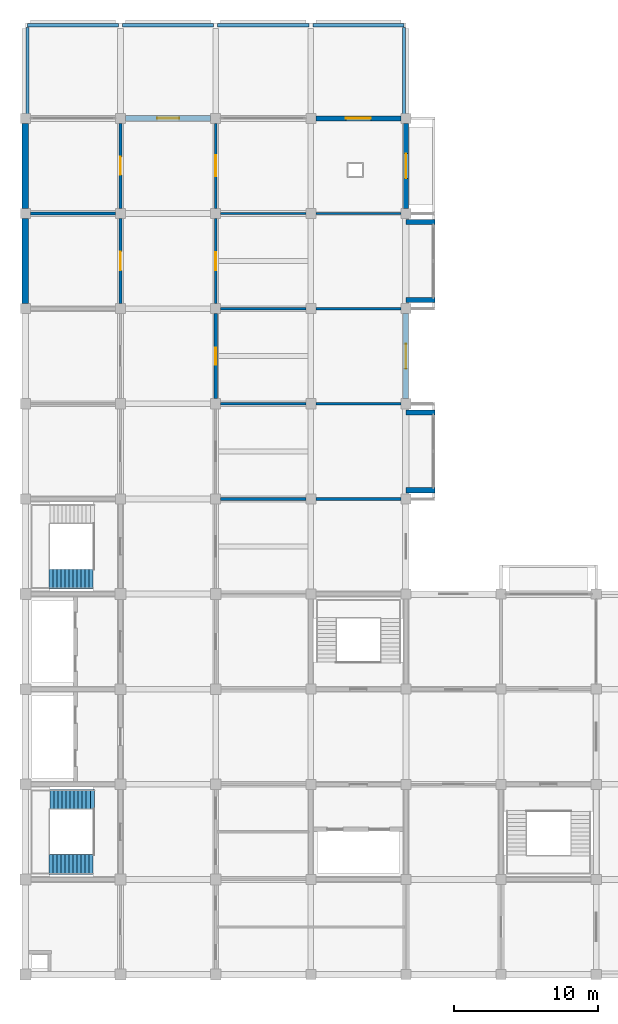
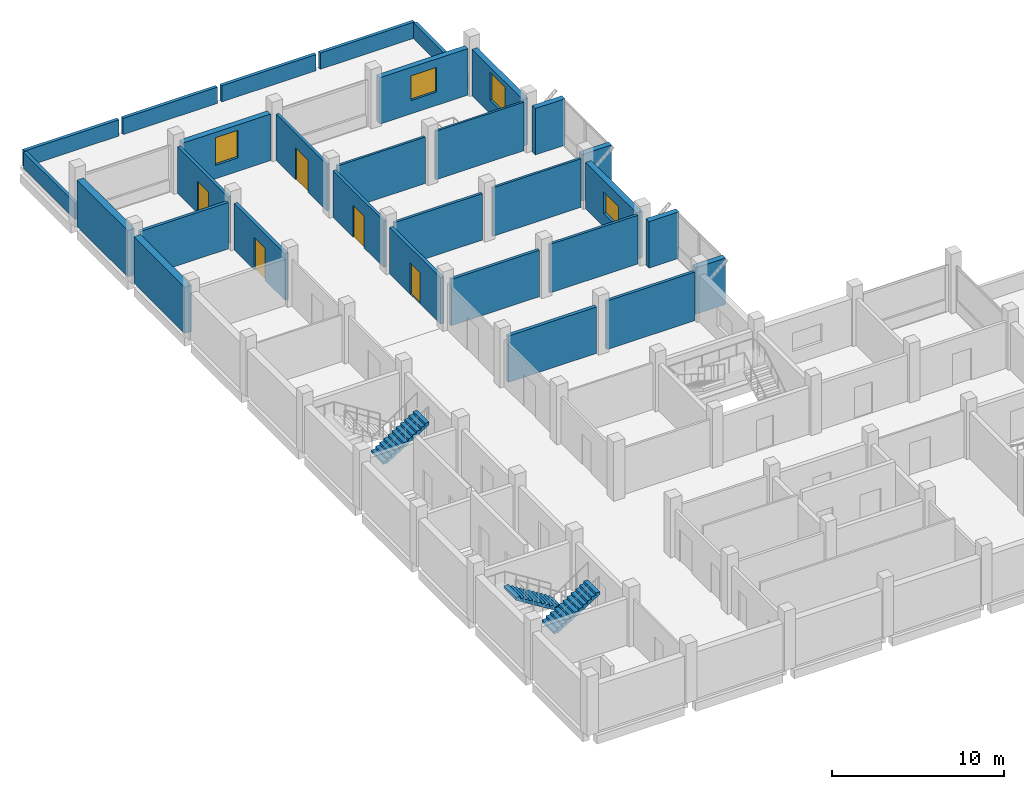
# One storey, part 8 of 10: 30 walls, 5 doors, 4 windows, 3 stair flights, 9 openings, 2 elements without a shape of their own.
"""IFC4 building model written with IfcOpenShell, lengths in metres."""

from ifc_helpers import new_model, si_unit, direction, frame, frame_2d, origin, place, context, subcontext, project, spatial, polyline, rectangle, outline, extrude, material, layer, layer_set, type_object, element, fill, aggregate, save


model = new_model("IFC4")

# Units and contexts
model_context = context("Model", 3, precision=1e-05, world=origin(), true_north=direction((0.0, 1.0)))
body_context = subcontext(model_context, "Body", "Model", "MODEL_VIEW")
ifc_project = project(units=[si_unit("LENGTHUNIT", "METRE"), si_unit("AREAUNIT", "SQUARE_METRE"), si_unit("VOLUMEUNIT", "CUBIC_METRE"), si_unit("PLANEANGLEUNIT", "RADIAN"), si_unit("MASSUNIT", "GRAM", prefix="KILO")], contexts=[model_context])

# Site, building, storey
site_placement = place(None, origin())
site = spatial("IfcSite", under=ifc_project, at=site_placement, CompositionType="ELEMENT")
building_placement = place(site_placement, origin())
building = spatial("IfcBuilding", under=site, at=building_placement, Name="Rusizi Kubbe Research Institute", CompositionType="ELEMENT")
storey_placement = place(building_placement, frame((0.0, 0.0, 43.800048828125)))
storey = spatial("IfcBuildingStorey", under=building, at=storey_placement, Name="L10", CompositionType="ELEMENT", Elevation=43.800048828125)

# Wall, opening, window
ifc_material_1 = material(Name="Volcanic Basalt Ashlar Masonry", Category="masonry")
ifc_layer_1 = layer(ifc_material_1, 0.385009765625)
ifc_layer_set_1 = layer_set([ifc_layer_1], Name="Volcanic Basalt Ashlar Masonry")
wall_type_1 = type_object("IfcWallType", Name="EW-04", PredefinedType="SOLIDWALL", material=ifc_layer_set_1)
wall_1_placement = place(storey_placement, frame((6.949951171875, 59.39990234375, 0.0), z_axis=(0.0, 0.0, 1.0), x_axis=(1.0, 0.0, 0.0)))
wall_1 = element("IfcWall", 1, at=wall_1_placement, inside=storey, type_object=wall_type_1, Name="Ablaq Stone Exterior Wall L10 H1-9", PredefinedType="SOLIDWALL", context=body_context, shape_type="SweptSolid", body=[
    extrude(rectangle(XDim=5.900146484375, YDim=0.385009765625, at=frame_2d((2.9501953125, 0.0))), origin(), (0.0, 0.0, 1.0), 3.2900390625),
])
opening_1_placement = place(wall_1_placement, frame((2.18994140625, 0.0, 0.949951171875)))
opening_1 = element("IfcOpeningElement", 2, at=opening_1_placement, cuts=wall_1, Name="Opening WN-20", PredefinedType="OPENING", context=body_context, shape_type="SweptSolid", body=[
    extrude(rectangle(XDim=1.52001953125, YDim=1.9599609375, at=frame_2d((0.760009765625, 0.97998046875))), frame((0.0, 0.202392578125, 0.0), z_axis=(0.0, -1.0, 0.0), x_axis=(1.0, 0.0, 0.0)), (0.0, 0.0, 1.0), 0.405029296875),
])
ifc_material_2 = material(Name="Aluminium Frame and Solar-Control Double Glazing", Category="glass")
window_type_1 = type_object("IfcWindowType", Name="WN-20", PartitioningType="DOUBLE_PANEL_VERTICAL", PredefinedType="WINDOW", material=ifc_material_2)
window_1_placement = place(opening_1_placement, origin())
window_1 = element("IfcWindow", 3, at=window_1_placement, inside=storey, type_object=window_type_1, Name="Casement Window WN-20 L10", OverallHeight=1.9599609375, OverallWidth=1.52001953125, PartitioningType="DOUBLE_PANEL_VERTICAL", PredefinedType="WINDOW", context=body_context, shape_type="SweptSolid", body=[
    extrude(rectangle(XDim=1.52001953125, YDim=1.9599609375, at=frame_2d((0.760009765625, 0.97998046875))), frame((0.0, 0.030029296875, 0.0), z_axis=(0.0, -1.0, 0.0), x_axis=(1.0, 0.0, 0.0)), (0.0, 0.0, 1.0), 0.06005859375),
])
fill(opening_1, window_1)

wall_2_placement = place(storey_placement, frame((26.39990234375, 39.949951171875, 0.0), z_axis=(0.0, 0.0, 1.0), x_axis=(0.0, 1.0, 0.0)))
wall_2 = element("IfcWall", 4, at=wall_2_placement, inside=storey, type_object=wall_type_1, Name="Ablaq Stone Exterior Wall L10 V4-6", PredefinedType="SOLIDWALL", context=body_context, shape_type="SweptSolid", body=[
    extrude(rectangle(XDim=5.900146484375, YDim=0.385009765625, at=frame_2d((2.9501953125, 0.0))), origin(), (0.0, 0.0, 1.0), 3.2900390625),
])
opening_2_placement = place(wall_2_placement, frame((2.090087890625, 0.0, 0.949951171875)))
opening_2 = element("IfcOpeningElement", 5, at=opening_2_placement, cuts=wall_2, Name="Opening WN-22", PredefinedType="OPENING", context=body_context, shape_type="SweptSolid", body=[
    extrude(rectangle(XDim=1.719970703125, YDim=1.52001953125, at=frame_2d((0.85986328125, 0.760009765625))), frame((0.0, 0.202392578125, 0.0), z_axis=(0.0, -1.0, 0.0), x_axis=(1.0, 0.0, 0.0)), (0.0, 0.0, 1.0), 0.405029296875),
])
ifc_material_3 = material(Name="Aluminium Frame and Solar-Control Double Glazing", Category="glass")
window_type_2 = type_object("IfcWindowType", Name="WN-22", PartitioningType="DOUBLE_PANEL_VERTICAL", PredefinedType="WINDOW", material=ifc_material_3)
window_2_placement = place(opening_2_placement, origin())
window_2 = element("IfcWindow", 6, at=window_2_placement, inside=storey, type_object=window_type_2, Name="Casement Window WN-22 L10", OverallHeight=1.52001953125, OverallWidth=1.719970703125, PartitioningType="DOUBLE_PANEL_VERTICAL", PredefinedType="WINDOW", context=body_context, shape_type="SweptSolid", body=[
    extrude(rectangle(XDim=1.719970703125, YDim=1.52001953125, at=frame_2d((0.85986328125, 0.760009765625))), frame((0.0, 0.030029296875, 0.0), z_axis=(0.0, -1.0, 0.0), x_axis=(1.0, 0.0, 0.0)), (0.0, 0.0, 1.0), 0.06005859375),
])
fill(opening_2, window_2)

# Walls
ifc_material_4 = material(Name="Volcanic Basalt Ashlar Masonry", Category="masonry")
ifc_layer_2 = layer(ifc_material_4, 0.35498046875)
ifc_layer_set_2 = layer_set([ifc_layer_2], Name="Volcanic Basalt Ashlar Masonry")
wall_type_2 = type_object("IfcWallType", Name="EW-06", PredefinedType="SOLIDWALL", material=ifc_layer_set_2)
for number, where, z_axis, x_axis, name in (
    (7, (26.39990234375, 33.60009765625, 0.0), (0.0, 0.0, 1.0), (1.0, 0.0, 0.0), "Cumba Return Wall S L10 (4,5)"),
    (8, (26.39990234375, 39.0, 0.0), (0.0, 0.0, 1.0), (1.0, 0.0, 0.0), "Cumba Return Wall N L10 (4,5)"),
    (9, (26.39990234375, 46.800048828125, 0.0), (0.0, 0.0, 1.0), (1.0, 0.0, 0.0), "Cumba Return Wall S L10 (4,7)"),
    (10, (26.39990234375, 52.199951171875, 0.0), (0.0, 0.0, 1.0), (1.0, 0.0, 0.0), "Cumba Return Wall N L10 (4,7)"),
):
    element("IfcWall", number, at=place(storey_placement, frame(where, z_axis=z_axis, x_axis=x_axis)), inside=storey, type_object=wall_type_2, Name=name, PredefinedType="SOLIDWALL", context=body_context, shape_type="SweptSolid", body=[
        extrude(rectangle(XDim=2.0, YDim=0.35498046875, at=frame_2d((1.0, 0.0))), origin(), (0.0, 0.0, 1.0), 3.2900390625),
    ])

# Wall, opening, window
wall_3_placement = place(storey_placement, frame((20.14990234375, 59.39990234375, 0.0), z_axis=(0.0, 0.0, 1.0), x_axis=(1.0, 0.0, 0.0)))
wall_3 = element("IfcWall", 11, at=wall_3_placement, inside=storey, type_object=wall_type_2, Name="Ablaq Stone Exterior Wall L10 H3-9", PredefinedType="SOLIDWALL", context=body_context, shape_type="SweptSolid", body=[
    extrude(rectangle(XDim=5.900146484375, YDim=0.35498046875, at=frame_2d((2.9501953125, 0.0))), origin(), (0.0, 0.0, 1.0), 3.2900390625),
])
opening_3_placement = place(wall_3_placement, frame((2.090087890625, 0.0, 0.949951171875)))
opening_3 = element("IfcOpeningElement", 12, at=opening_3_placement, cuts=wall_3, Name="Opening WN-23", PredefinedType="OPENING", context=body_context, shape_type="SweptSolid", body=[
    extrude(rectangle(XDim=1.719970703125, YDim=1.739990234375, at=frame_2d((0.85986328125, 0.8701171875))), frame((0.0, 0.1875, 0.0), z_axis=(0.0, -1.0, 0.0), x_axis=(1.0, 0.0, 0.0)), (0.0, 0.0, 1.0), 0.375),
])
ifc_material_5 = material(Name="Aluminium Frame and Solar-Control Double Glazing", Category="glass")
window_type_3 = type_object("IfcWindowType", Name="WN-23", PartitioningType="DOUBLE_PANEL_VERTICAL", PredefinedType="WINDOW", material=ifc_material_5)
window_3_placement = place(opening_3_placement, origin())
window_3 = element("IfcWindow", 13, at=window_3_placement, inside=storey, type_object=window_type_3, Name="Casement Window WN-23 L10", OverallHeight=1.739990234375, OverallWidth=1.719970703125, PartitioningType="DOUBLE_PANEL_VERTICAL", PredefinedType="WINDOW", context=body_context, shape_type="SweptSolid", body=[
    extrude(rectangle(XDim=1.719970703125, YDim=1.739990234375, at=frame_2d((0.85986328125, 0.8701171875))), frame((0.0, 0.030029296875, 0.0), z_axis=(0.0, -1.0, 0.0), x_axis=(1.0, 0.0, 0.0)), (0.0, 0.0, 1.0), 0.06005859375),
])
fill(opening_3, window_3)

wall_4_placement = place(storey_placement, frame((26.39990234375, 53.14990234375, 0.0), z_axis=(0.0, 0.0, 1.0), x_axis=(0.0, 1.0, 0.0)))
wall_4 = element("IfcWall", 14, at=wall_4_placement, inside=storey, type_object=wall_type_2, Name="Ablaq Stone Exterior Wall L10 V4-8", PredefinedType="SOLIDWALL", context=body_context, shape_type="SweptSolid", body=[
    extrude(rectangle(XDim=5.900146484375, YDim=0.35498046875, at=frame_2d((2.9501953125, 0.0))), origin(), (0.0, 0.0, 1.0), 3.2900390625),
])
opening_4_placement = place(wall_4_placement, frame((2.090087890625, 0.0, 0.949951171875)))
opening_4 = element("IfcOpeningElement", 15, at=opening_4_placement, cuts=wall_4, Name="Opening WN-24", PredefinedType="OPENING", context=body_context, shape_type="SweptSolid", body=[
    extrude(rectangle(XDim=1.719970703125, YDim=1.9599609375, at=frame_2d((0.85986328125, 0.97998046875))), frame((0.0, 0.1875, 0.0), z_axis=(0.0, -1.0, 0.0), x_axis=(1.0, 0.0, 0.0)), (0.0, 0.0, 1.0), 0.375),
])
ifc_material_6 = material(Name="Aluminium Frame and Solar-Control Double Glazing", Category="glass")
window_type_4 = type_object("IfcWindowType", Name="WN-24", PartitioningType="DOUBLE_PANEL_VERTICAL", PredefinedType="WINDOW", material=ifc_material_6)
window_4_placement = place(opening_4_placement, origin())
window_4 = element("IfcWindow", 16, at=window_4_placement, inside=storey, type_object=window_type_4, Name="Casement Window WN-24 L10", OverallHeight=1.9599609375, OverallWidth=1.719970703125, PartitioningType="DOUBLE_PANEL_VERTICAL", PredefinedType="WINDOW", context=body_context, shape_type="SweptSolid", body=[
    extrude(rectangle(XDim=1.719970703125, YDim=1.9599609375, at=frame_2d((0.85986328125, 0.97998046875))), frame((0.0, 0.030029296875, 0.0), z_axis=(0.0, -1.0, 0.0), x_axis=(1.0, 0.0, 0.0)), (0.0, 0.0, 1.0), 0.06005859375),
])
fill(opening_4, window_4)

# Wall, opening, door
ifc_material_7 = material(Name="Concrete Blockwork Fire Partition", Category="masonry")
ifc_layer_3 = layer(ifc_material_7, 0.22509765625)
ifc_layer_set_3 = layer_set([ifc_layer_3], Name="Concrete Blockwork Fire Partition")
wall_type_3 = type_object("IfcWallType", Name="IW-01", PredefinedType="PARTITIONING", material=ifc_layer_set_3)
wall_5_placement = place(storey_placement, frame((6.60009765625, 46.550048828125, 0.0), z_axis=(0.0, 0.0, 1.0), x_axis=(0.0, 1.0, 0.0)))
wall_5 = element("IfcWall", 17, at=wall_5_placement, inside=storey, type_object=wall_type_3, Name="Interior Partition Wall L10 V1-7", PredefinedType="PARTITIONING", context=body_context, shape_type="SweptSolid", body=[
    extrude(rectangle(XDim=5.89990234375, YDim=0.22509765625, at=frame_2d((2.949951171875, 0.0))), origin(), (0.0, 0.0, 1.0), 3.2900390625),
])
opening_5_placement = place(wall_5_placement, frame((2.300048828125, 0.0, 0.0)))
opening_5 = element("IfcOpeningElement", 18, at=opening_5_placement, cuts=wall_5, Name="Opening D-14", PredefinedType="OPENING", context=body_context, shape_type="SweptSolid", body=[
    extrude(rectangle(XDim=1.300048828125, YDim=2.300048828125, at=frame_2d((0.64990234375, 1.14990234375))), frame((0.0, 0.12255859375, 0.0), z_axis=(0.0, -1.0, 0.0), x_axis=(1.0, 0.0, 0.0)), (0.0, 0.0, 1.0), 0.2451171875),
])
ifc_material_8 = material(Name="Fire-Rated Steel Frame and Acoustic Timber Leaf", Category="wood")
door_type_1 = type_object("IfcDoorType", Name="ID-LAB-130", OperationType="NOTDEFINED", PredefinedType="DOOR", material=ifc_material_8)
door_1_placement = place(opening_5_placement, origin())
door_1 = element("IfcDoor", 19, at=door_1_placement, inside=storey, type_object=door_type_1, Name="Door to Clean Room Metrology Laboratory (L10-WSP-07)", OperationType="SINGLE_SWING_RIGHT", OverallHeight=2.300048828125, OverallWidth=1.300048828125, PredefinedType="DOOR", context=body_context, shape_type="SweptSolid", body=[
    extrude(rectangle(XDim=1.300048828125, YDim=2.300048828125, at=frame_2d((0.64990234375, 1.14990234375))), frame((0.0, 0.02490234375, 0.0), z_axis=(0.0, -1.0, 0.0), x_axis=(1.0, 0.0, 0.0)), (0.0, 0.0, 1.0), 0.050048828125),
])
fill(opening_5, door_1)

wall_6_placement = place(storey_placement, frame((13.199951171875, 39.949951171875, 0.0), z_axis=(0.0, 0.0, 1.0), x_axis=(0.0, 1.0, 0.0)))
wall_6 = element("IfcWall", 20, at=wall_6_placement, inside=storey, type_object=wall_type_3, Name="Interior Partition Wall L10 V2-6", PredefinedType="PARTITIONING", context=body_context, shape_type="SweptSolid", body=[
    extrude(rectangle(XDim=5.900146484375, YDim=0.22509765625, at=frame_2d((2.9501953125, 0.0))), origin(), (0.0, 0.0, 1.0), 3.2900390625),
])
opening_6_placement = place(wall_6_placement, frame((2.360107421875, 0.0, 0.0)))
opening_6 = element("IfcOpeningElement", 21, at=opening_6_placement, cuts=wall_6, Name="Opening D-19", PredefinedType="OPENING", context=body_context, shape_type="SweptSolid", body=[
    extrude(rectangle(XDim=1.179931640625, YDim=2.199951171875, at=frame_2d((0.58984375, 1.10009765625))), frame((0.0, 0.12255859375, 0.0), z_axis=(0.0, -1.0, 0.0), x_axis=(1.0, 0.0, 0.0)), (0.0, 0.0, 1.0), 0.2451171875),
])
ifc_material_9 = material(Name="Fire-Rated Steel Frame and Acoustic Timber Leaf", Category="wood")
door_type_2 = type_object("IfcDoorType", Name="ID-OFF-118", OperationType="NOTDEFINED", PredefinedType="DOOR", material=ifc_material_9)
door_2_placement = place(opening_6_placement, origin())
door_2 = element("IfcDoor", 22, at=door_2_placement, inside=storey, type_object=door_type_2, Name="Door to Write-up Office (L10-NW-04)", OperationType="SINGLE_SWING_RIGHT", OverallHeight=2.199951171875, OverallWidth=1.179931640625, PredefinedType="DOOR", context=body_context, shape_type="SweptSolid", body=[
    extrude(rectangle(XDim=1.179931640625, YDim=2.199951171875, at=frame_2d((0.58984375, 1.10009765625))), frame((0.0, 0.02490234375, 0.0), z_axis=(0.0, -1.0, 0.0), x_axis=(1.0, 0.0, 0.0)), (0.0, 0.0, 1.0), 0.050048828125),
])
fill(opening_6, door_2)

# Walls
wall_7_placement = place(storey_placement, frame((13.550048828125, 33.0, 0.0), z_axis=(0.0, 0.0, 1.0), x_axis=(1.0, 0.0, 0.0)))
element("IfcWall", 23, at=wall_7_placement, inside=storey, type_object=wall_type_3, Name="Interior Partition Wall L10 H2-5", PredefinedType="PARTITIONING", context=body_context, shape_type="SweptSolid", body=[
    extrude(rectangle(XDim=5.89990234375, YDim=0.22509765625, at=frame_2d((2.949951171875, 0.0))), origin(), (0.0, 0.0, 1.0), 3.2900390625),
])
ifc_material_10 = material(Name="Insulated Cleanroom Partition", Category="masonry")
ifc_layer_4 = layer(ifc_material_10, 0.195068359375)
ifc_layer_set_4 = layer_set([ifc_layer_4], Name="Insulated Cleanroom Partition")
wall_type_4 = type_object("IfcWallType", Name="IW-02", PredefinedType="PARTITIONING", material=ifc_layer_set_4)
wall_8_placement = place(storey_placement, frame((0.35009765625, 52.800048828125, 0.0), z_axis=(0.0, 0.0, 1.0), x_axis=(1.0, 0.0, 0.0)))
element("IfcWall", 24, at=wall_8_placement, inside=storey, type_object=wall_type_4, Name="Interior Partition Wall L10 H0-8", PredefinedType="PARTITIONING", context=body_context, shape_type="SweptSolid", body=[
    extrude(rectangle(XDim=5.89990234375, YDim=0.195068359375, at=frame_2d((2.949951171875, 0.0))), origin(), (0.0, 0.0, 1.0), 3.2900390625),
])

# Wall, opening, door
wall_9_placement = place(storey_placement, frame((6.60009765625, 53.14990234375, 0.0), z_axis=(0.0, 0.0, 1.0), x_axis=(0.0, 1.0, 0.0)))
wall_9 = element("IfcWall", 25, at=wall_9_placement, inside=storey, type_object=wall_type_4, Name="Interior Partition Wall L10 V1-8", PredefinedType="PARTITIONING", context=body_context, shape_type="SweptSolid", body=[
    extrude(rectangle(XDim=5.900146484375, YDim=0.195068359375, at=frame_2d((2.9501953125, 0.0))), origin(), (0.0, 0.0, 1.0), 3.2900390625),
])
opening_7_placement = place(wall_9_placement, frame((2.324951171875, 0.0, 0.0)))
opening_7 = element("IfcOpeningElement", 26, at=opening_7_placement, cuts=wall_9, Name="Opening D-15", PredefinedType="OPENING", context=body_context, shape_type="SweptSolid", body=[
    extrude(rectangle(XDim=1.25, YDim=2.25, at=frame_2d((0.625, 1.125))), frame((0.0, 0.107421875, 0.0), z_axis=(0.0, -1.0, 0.0), x_axis=(1.0, 0.0, 0.0)), (0.0, 0.0, 1.0), 0.215087890625),
])
ifc_material_11 = material(Name="Fire-Rated Steel Frame and Acoustic Timber Leaf", Category="wood")
door_type_3 = type_object("IfcDoorType", Name="ID-LAB-125", OperationType="NOTDEFINED", PredefinedType="DOOR", material=ifc_material_11)
door_3_placement = place(opening_7_placement, origin())
door_3 = element("IfcDoor", 27, at=door_3_placement, inside=storey, type_object=door_type_3, Name="Door to Service Spine Autoclave Room (L10-WSP-08)", OperationType="SINGLE_SWING_LEFT", OverallHeight=2.25, OverallWidth=1.25, PredefinedType="DOOR", context=body_context, shape_type="SweptSolid", body=[
    extrude(rectangle(XDim=1.25, YDim=2.25, at=frame_2d((0.625, 1.125))), frame((0.0, 0.02490234375, 0.0), z_axis=(0.0, -1.0, 0.0), x_axis=(1.0, 0.0, 0.0)), (0.0, 0.0, 1.0), 0.050048828125),
])
fill(opening_7, door_3)

wall_10_placement = place(storey_placement, frame((13.199951171875, 46.550048828125, 0.0), z_axis=(0.0, 0.0, 1.0), x_axis=(0.0, 1.0, 0.0)))
wall_10 = element("IfcWall", 28, at=wall_10_placement, inside=storey, type_object=wall_type_4, Name="Interior Partition Wall L10 V2-7", PredefinedType="PARTITIONING", context=body_context, shape_type="SweptSolid", body=[
    extrude(rectangle(XDim=5.89990234375, YDim=0.195068359375, at=frame_2d((2.949951171875, 0.0))), origin(), (0.0, 0.0, 1.0), 3.2900390625),
])
opening_8_placement = place(wall_10_placement, frame((2.324951171875, 0.0, 0.0)))
opening_8 = element("IfcOpeningElement", 29, at=opening_8_placement, cuts=wall_10, Name="Opening D-15", PredefinedType="OPENING", context=body_context, shape_type="SweptSolid", body=[
    extrude(rectangle(XDim=1.25, YDim=2.25, at=frame_2d((0.625, 1.125))), frame((0.0, 0.107421875, 0.0), z_axis=(0.0, -1.0, 0.0), x_axis=(1.0, 0.0, 0.0)), (0.0, 0.0, 1.0), 0.215087890625),
])
door_4_placement = place(opening_8_placement, origin())
door_4 = element("IfcDoor", 30, at=door_4_placement, inside=storey, type_object=door_type_3, Name="Door to Bioscience Wet Laboratory (L10-NW-05)", OperationType="SINGLE_SWING_LEFT", OverallHeight=2.25, OverallWidth=1.25, PredefinedType="DOOR", context=body_context, shape_type="SweptSolid", body=[
    extrude(rectangle(XDim=1.25, YDim=2.25, at=frame_2d((0.625, 1.125))), frame((0.0, 0.02490234375, 0.0), z_axis=(0.0, -1.0, 0.0), x_axis=(1.0, 0.0, 0.0)), (0.0, 0.0, 1.0), 0.050048828125),
])
fill(opening_8, door_4)

# Walls
wall_11_placement = place(storey_placement, frame((13.550048828125, 39.60009765625, 0.0), z_axis=(0.0, 0.0, 1.0), x_axis=(1.0, 0.0, 0.0)))
element("IfcWall", 31, at=wall_11_placement, inside=storey, type_object=wall_type_4, Name="Interior Partition Wall L10 H2-6", PredefinedType="PARTITIONING", context=body_context, shape_type="SweptSolid", body=[
    extrude(rectangle(XDim=5.89990234375, YDim=0.195068359375, at=frame_2d((2.949951171875, 0.0))), origin(), (0.0, 0.0, 1.0), 3.2900390625),
])
wall_12_placement = place(storey_placement, frame((20.14990234375, 33.0, 0.0), z_axis=(0.0, 0.0, 1.0), x_axis=(1.0, 0.0, 0.0)))
element("IfcWall", 32, at=wall_12_placement, inside=storey, type_object=wall_type_4, Name="Interior Partition Wall L10 H3-5", PredefinedType="PARTITIONING", context=body_context, shape_type="SweptSolid", body=[
    extrude(rectangle(XDim=5.900146484375, YDim=0.195068359375, at=frame_2d((2.9501953125, 0.0))), origin(), (0.0, 0.0, 1.0), 3.43994140625),
])

# Wall, opening, door
ifc_material_12 = material(Name="Acoustic Laboratory Partition", Category="masonry")
ifc_layer_5 = layer(ifc_material_12, 0.175048828125)
ifc_layer_set_5 = layer_set([ifc_layer_5], Name="Acoustic Laboratory Partition")
wall_type_5 = type_object("IfcWallType", Name="IW-03", PredefinedType="PARTITIONING", material=ifc_layer_set_5)
wall_13_placement = place(storey_placement, frame((13.199951171875, 53.14990234375, 0.0), z_axis=(0.0, 0.0, 1.0), x_axis=(0.0, 1.0, 0.0)))
wall_13 = element("IfcWall", 33, at=wall_13_placement, inside=storey, type_object=wall_type_5, Name="Interior Partition Wall L10 V2-8", PredefinedType="PARTITIONING", context=body_context, shape_type="SweptSolid", body=[
    extrude(rectangle(XDim=5.900146484375, YDim=0.175048828125, at=frame_2d((2.9501953125, 0.0))), origin(), (0.0, 0.0, 1.0), 3.2900390625),
])
opening_9_placement = place(wall_13_placement, frame((2.22509765625, 0.0, 0.0)))
opening_9 = element("IfcOpeningElement", 34, at=opening_9_placement, cuts=wall_13, Name="Opening D-11", PredefinedType="OPENING", context=body_context, shape_type="SweptSolid", body=[
    extrude(rectangle(XDim=1.449951171875, YDim=2.25, at=frame_2d((0.72509765625, 1.125))), frame((0.0, 0.097412109375, 0.0), z_axis=(0.0, -1.0, 0.0), x_axis=(1.0, 0.0, 0.0)), (0.0, 0.0, 1.0), 0.195068359375),
])
ifc_material_13 = material(Name="Fire-Rated Steel Frame and Acoustic Timber Leaf", Category="wood")
door_type_4 = type_object("IfcDoorType", Name="ID-LAB-145", OperationType="NOTDEFINED", PredefinedType="DOOR", material=ifc_material_13)
door_5_placement = place(opening_9_placement, origin())
door_5 = element("IfcDoor", 35, at=door_5_placement, inside=storey, type_object=door_type_4, Name="Door to Computational Dry Laboratory (L10-NW-06)", OperationType="SINGLE_SWING_LEFT", OverallHeight=2.25, OverallWidth=1.449951171875, PredefinedType="DOOR", context=body_context, shape_type="SweptSolid", body=[
    extrude(rectangle(XDim=1.449951171875, YDim=2.25, at=frame_2d((0.72509765625, 1.125))), frame((0.0, 0.02490234375, 0.0), z_axis=(0.0, -1.0, 0.0), x_axis=(1.0, 0.0, 0.0)), (0.0, 0.0, 1.0), 0.050048828125),
])
fill(opening_9, door_5)

# Walls
wall_14_placement = place(storey_placement, frame((13.550048828125, 46.199951171875, 0.0), z_axis=(0.0, 0.0, 1.0), x_axis=(1.0, 0.0, 0.0)))
element("IfcWall", 36, at=wall_14_placement, inside=storey, type_object=wall_type_5, Name="Interior Partition Wall L10 H2-7", PredefinedType="PARTITIONING", context=body_context, shape_type="SweptSolid", body=[
    extrude(rectangle(XDim=5.89990234375, YDim=0.175048828125, at=frame_2d((2.949951171875, 0.0))), origin(), (0.0, 0.0, 1.0), 3.2900390625),
])
wall_15_placement = place(storey_placement, frame((20.14990234375, 39.60009765625, 0.0), z_axis=(0.0, 0.0, 1.0), x_axis=(1.0, 0.0, 0.0)))
element("IfcWall", 37, at=wall_15_placement, inside=storey, type_object=wall_type_5, Name="Interior Partition Wall L10 H3-6", PredefinedType="PARTITIONING", context=body_context, shape_type="SweptSolid", body=[
    extrude(rectangle(XDim=5.900146484375, YDim=0.175048828125, at=frame_2d((2.9501953125, 0.0))), origin(), (0.0, 0.0, 1.0), 3.43994140625),
])
ifc_material_14 = material(Name="Fire-Rated Corridor Partition", Category="masonry")
ifc_layer_6 = layer(ifc_material_14, 0.155029296875)
ifc_layer_set_6 = layer_set([ifc_layer_6], Name="Fire-Rated Corridor Partition")
wall_type_6 = type_object("IfcWallType", Name="IW-04", PredefinedType="PARTITIONING", material=ifc_layer_set_6)
wall_16_placement = place(storey_placement, frame((13.550048828125, 52.800048828125, 0.0), z_axis=(0.0, 0.0, 1.0), x_axis=(1.0, 0.0, 0.0)))
element("IfcWall", 38, at=wall_16_placement, inside=storey, type_object=wall_type_6, Name="Interior Partition Wall L10 H2-8", PredefinedType="PARTITIONING", context=body_context, shape_type="SweptSolid", body=[
    extrude(rectangle(XDim=5.89990234375, YDim=0.155029296875, at=frame_2d((2.949951171875, 0.0))), origin(), (0.0, 0.0, 1.0), 3.2900390625),
])
wall_17_placement = place(storey_placement, frame((20.14990234375, 46.199951171875, 0.0), z_axis=(0.0, 0.0, 1.0), x_axis=(1.0, 0.0, 0.0)))
element("IfcWall", 39, at=wall_17_placement, inside=storey, type_object=wall_type_6, Name="Interior Partition Wall L10 H3-7", PredefinedType="PARTITIONING", context=body_context, shape_type="SweptSolid", body=[
    extrude(rectangle(XDim=5.900146484375, YDim=0.155029296875, at=frame_2d((2.9501953125, 0.0))), origin(), (0.0, 0.0, 1.0), 3.43994140625),
])
ifc_material_15 = material(Name="Write-up Glazed Acoustic Partition", Category="masonry")
ifc_layer_7 = layer(ifc_material_15, 0.139892578125)
ifc_layer_set_7 = layer_set([ifc_layer_7], Name="Write-up Glazed Acoustic Partition")
wall_type_7 = type_object("IfcWallType", Name="IW-05", PredefinedType="PARTITIONING", material=ifc_layer_set_7)
wall_18_placement = place(storey_placement, frame((20.14990234375, 52.800048828125, 0.0), z_axis=(0.0, 0.0, 1.0), x_axis=(1.0, 0.0, 0.0)))
element("IfcWall", 40, at=wall_18_placement, inside=storey, type_object=wall_type_7, Name="Interior Partition Wall L10 H3-8", PredefinedType="PARTITIONING", context=body_context, shape_type="SweptSolid", body=[
    extrude(rectangle(XDim=5.900146484375, YDim=0.139892578125, at=frame_2d((2.9501953125, 0.0))), origin(), (0.0, 0.0, 1.0), 3.43994140625),
])
ifc_material_16 = material(Name="Volcanic Basalt Ashlar Masonry", Category="masonry")
ifc_layer_8 = layer(ifc_material_16, 0.215087890625)
ifc_layer_set_8 = layer_set([ifc_layer_8], Name="Volcanic Basalt Ashlar Masonry")
wall_type_8 = type_object("IfcWallType", Name="PRP-02", PredefinedType="PARAPET", material=ifc_layer_set_8)
wall_19_placement = place(storey_placement, frame((0.139892578125, 65.860107421875, 0.0), z_axis=(0.0, 0.0, 1.0), x_axis=(1.0, 0.0, 0.0)))
element("IfcWall", 41, at=wall_19_placement, inside=storey, type_object=wall_type_8, Name="Roof Parapet Wall L10-001", PredefinedType="PARAPET", context=body_context, shape_type="SweptSolid", body=[
    extrude(rectangle(XDim=6.320068359375, YDim=0.215087890625, at=frame_2d((3.16015625, 0.0))), origin(), (0.0, 0.0, 1.0), 1.14990234375),
])
wall_20_placement = place(storey_placement, frame((0.139892578125, 59.699951171875, 0.0), z_axis=(0.0, 0.0, 1.0), x_axis=(0.0, 1.0, 0.0)))
element("IfcWall", 42, at=wall_20_placement, inside=storey, type_object=wall_type_8, Name="Roof Parapet Wall L10-002", PredefinedType="PARAPET", context=body_context, shape_type="SweptSolid", body=[
    extrude(rectangle(XDim=6.0, YDim=0.215087890625, at=frame_2d((3.0, 0.0))), origin(), (0.0, 0.0, 1.0), 1.14990234375),
])
wall_21_placement = place(storey_placement, frame((6.739990234375, 65.860107421875, 0.0), z_axis=(0.0, 0.0, 1.0), x_axis=(1.0, 0.0, 0.0)))
element("IfcWall", 43, at=wall_21_placement, inside=storey, type_object=wall_type_8, Name="Roof Parapet Wall L10-003", PredefinedType="PARAPET", context=body_context, shape_type="SweptSolid", body=[
    extrude(rectangle(XDim=6.320068359375, YDim=0.215087890625, at=frame_2d((3.16015625, 0.0))), origin(), (0.0, 0.0, 1.0), 1.14990234375),
])
wall_22_placement = place(storey_placement, frame((13.340087890625, 65.860107421875, 0.0), z_axis=(0.0, 0.0, 1.0), x_axis=(1.0, 0.0, 0.0)))
element("IfcWall", 44, at=wall_22_placement, inside=storey, type_object=wall_type_8, Name="Roof Parapet Wall L10-004", PredefinedType="PARAPET", context=body_context, shape_type="SweptSolid", body=[
    extrude(rectangle(XDim=6.31982421875, YDim=0.215087890625, at=frame_2d((3.159912109375, 0.0))), origin(), (0.0, 0.0, 1.0), 1.14990234375),
])
wall_23_placement = place(storey_placement, frame((19.93994140625, 65.860107421875, 0.0), z_axis=(0.0, 0.0, 1.0), x_axis=(1.0, 0.0, 0.0)))
element("IfcWall", 45, at=wall_23_placement, inside=storey, type_object=wall_type_8, Name="Roof Parapet Wall L10-005", PredefinedType="PARAPET", context=body_context, shape_type="SweptSolid", body=[
    extrude(rectangle(XDim=6.320068359375, YDim=0.215087890625, at=frame_2d((3.16015625, 0.0))), origin(), (0.0, 0.0, 1.0), 1.14990234375),
])
wall_24_placement = place(storey_placement, frame((26.260009765625, 59.699951171875, 0.0), z_axis=(0.0, 0.0, 1.0), x_axis=(0.0, 1.0, 0.0)))
element("IfcWall", 46, at=wall_24_placement, inside=storey, type_object=wall_type_8, Name="Roof Parapet Wall L10-006", PredefinedType="PARAPET", context=body_context, shape_type="SweptSolid", body=[
    extrude(rectangle(XDim=6.0, YDim=0.215087890625, at=frame_2d((3.0, 0.0))), origin(), (0.0, 0.0, 1.0), 1.14990234375),
])
ifc_material_17 = material(Name="Concrete C40/50", Category="concrete")
ifc_layer_9 = layer(ifc_material_17, 0.4599609375)
ifc_layer_set_9 = layer_set([ifc_layer_9], Name="Concrete C40/50")
wall_type_9 = type_object("IfcWallType", Name="PW-02", PredefinedType="SOLIDWALL", material=ifc_layer_set_9)
wall_25_placement = place(storey_placement, frame((0.0, 46.550048828125, 0.0), z_axis=(0.0, 0.0, 1.0), x_axis=(0.0, 1.0, 0.0)))
element("IfcWall", 47, at=wall_25_placement, inside=storey, type_object=wall_type_9, Name="Blind Party Wall L10 V0-7", PredefinedType="SOLIDWALL", context=body_context, shape_type="SweptSolid", body=[
    extrude(rectangle(XDim=5.89990234375, YDim=0.4599609375, at=frame_2d((2.949951171875, 0.0))), origin(), (0.0, 0.0, 1.0), 3.2900390625),
])
wall_26_placement = place(storey_placement, frame((0.0, 53.14990234375, 0.0), z_axis=(0.0, 0.0, 1.0), x_axis=(0.0, 1.0, 0.0)))
element("IfcWall", 48, at=wall_26_placement, inside=storey, type_object=wall_type_9, Name="Blind Party Wall L10 V0-8", PredefinedType="SOLIDWALL", context=body_context, shape_type="SweptSolid", body=[
    extrude(rectangle(XDim=5.900146484375, YDim=0.4599609375, at=frame_2d((2.9501953125, 0.0))), origin(), (0.0, 0.0, 1.0), 3.2900390625),
])

# Stair, stair flights
ifc_material_18 = material(Name="Concrete C40/50", Category="concrete")
stair_type = type_object("IfcStairType", Name="ST-H420A", PredefinedType="HALF_TURN_STAIR", material=ifc_material_18)
stair_1_placement = place(storey_placement, origin())
stair_1 = element("IfcStair", 49, at=stair_1_placement, inside=storey, type_object=stair_type, Name="Protected Exit Stair ST1 (L10)", PredefinedType="HALF_TURN_STAIR")
ifc_material_19 = material(Name="Concrete C40/50", Category="concrete")
stair_flight_type = type_object("IfcStairFlightType", Name="FL-H420A", PredefinedType="STRAIGHT", material=ifc_material_19)
stair_flight_1_placement = place(storey_placement, frame((4.780029296875, 12.14990234375, 0.0), z_axis=(0.0, 0.0, 1.0), x_axis=(-1.0, 0.0, 0.0)))
stair_flight_1 = element("IfcStairFlight", 50, at=stair_flight_1_placement, type_object=stair_flight_type, Name="ST1 flight 1", NumberOfRisers=12, NumberOfTreads=11, PredefinedType="STRAIGHT", RiserHeight=0.175, TreadLength=0.28, context=body_context, shape_type="SweptSolid", body=[
    extrude(outline(polyline([(0.0, 0.0), (0.0, 0.175048828125), (0.280029296875, 0.175048828125), (0.280029296875, 0.35009765625), (0.56005859375, 0.35009765625), (0.56005859375, 0.52490234375), (0.840087890625, 0.52490234375), (0.840087890625, 0.699951171875), (1.1201171875, 0.699951171875), (1.1201171875, 0.875), (1.39990234375, 0.875), (1.39990234375, 1.050048828125), (1.679931640625, 1.050048828125), (1.679931640625, 1.22509765625), (1.9599609375, 1.22509765625), (1.9599609375, 1.39990234375), (2.239990234375, 1.39990234375), (2.239990234375, 1.574951171875), (2.52001953125, 1.574951171875), (2.52001953125, 1.75), (2.800048828125, 1.75), (2.800048828125, 1.925048828125), (3.080078125, 1.925048828125), (3.080078125, 2.10009765625), (3.080078125, 1.736328125), (0.3017578125, 0.0), (0.0, 0.0)])), frame((0.0, 0.699951171875, 0.0), z_axis=(0.0, -1.0, 0.0), x_axis=(1.0, 0.0, 0.0)), (0.0, 0.0, 1.0), 1.39990234375),
])
stair_flight_2_placement = place(storey_placement, frame((1.6259765625, 7.64990234375, 2.099853515625), z_axis=(0.0, 0.0, 1.0), x_axis=(1.0, 0.0, 0.0)))
stair_flight_2 = element("IfcStairFlight", 51, at=stair_flight_2_placement, type_object=stair_flight_type, Name="ST1 flight 2", NumberOfRisers=12, NumberOfTreads=11, PredefinedType="STRAIGHT", RiserHeight=0.175, TreadLength=0.28, context=body_context, shape_type="SweptSolid", body=[
    extrude(outline(polyline([(0.0, 0.0), (0.0, 0.175048828125), (0.280029296875, 0.175048828125), (0.280029296875, 0.35009765625), (0.56005859375, 0.35009765625), (0.56005859375, 0.52490234375), (0.840087890625, 0.52490234375), (0.840087890625, 0.699951171875), (1.1201171875, 0.699951171875), (1.1201171875, 0.875), (1.39990234375, 0.875), (1.39990234375, 1.050048828125), (1.679931640625, 1.050048828125), (1.679931640625, 1.22509765625), (1.9599609375, 1.22509765625), (1.9599609375, 1.39990234375), (2.239990234375, 1.39990234375), (2.239990234375, 1.574951171875), (2.52001953125, 1.574951171875), (2.52001953125, 1.75), (2.800048828125, 1.75), (2.800048828125, 1.925048828125), (3.080078125, 1.925048828125), (3.080078125, 2.10009765625), (3.080078125, 1.736328125), (0.3017578125, 0.0), (0.0, 0.0)])), frame((0.0, 0.699951171875, 0.0), z_axis=(0.0, -1.0, 0.0), x_axis=(1.0, 0.0, 0.0)), (0.0, 0.0, 1.0), 1.39990234375),
])
aggregate(stair_1, [stair_flight_1, stair_flight_2])

# Stair, stair flight
stair_2_placement = place(storey_placement, origin())
stair_2 = element("IfcStair", 52, at=stair_2_placement, inside=storey, type_object=stair_type, Name="Protected Exit Stair ST2 (L10)", PredefinedType="HALF_TURN_STAIR")
stair_flight_3_placement = place(storey_placement, frame((1.6259765625, 27.449951171875, 2.099853515625), z_axis=(0.0, 0.0, 1.0), x_axis=(1.0, 0.0, 0.0)))
stair_flight_3 = element("IfcStairFlight", 53, at=stair_flight_3_placement, type_object=stair_flight_type, Name="ST2 flight 2", NumberOfRisers=12, NumberOfTreads=11, PredefinedType="STRAIGHT", RiserHeight=0.175, TreadLength=0.28, context=body_context, shape_type="SweptSolid", body=[
    extrude(outline(polyline([(0.0, 0.0), (0.0, 0.175048828125), (0.280029296875, 0.175048828125), (0.280029296875, 0.35009765625), (0.56005859375, 0.35009765625), (0.56005859375, 0.52490234375), (0.840087890625, 0.52490234375), (0.840087890625, 0.699951171875), (1.1201171875, 0.699951171875), (1.1201171875, 0.875), (1.39990234375, 0.875), (1.39990234375, 1.050048828125), (1.679931640625, 1.050048828125), (1.679931640625, 1.22509765625), (1.9599609375, 1.22509765625), (1.9599609375, 1.39990234375), (2.239990234375, 1.39990234375), (2.239990234375, 1.574951171875), (2.52001953125, 1.574951171875), (2.52001953125, 1.75), (2.800048828125, 1.75), (2.800048828125, 1.925048828125), (3.080078125, 1.925048828125), (3.080078125, 2.10009765625), (3.080078125, 1.736328125), (0.3017578125, 0.0), (0.0, 0.0)])), frame((0.0, 0.699951171875, 0.0), z_axis=(0.0, -1.0, 0.0), x_axis=(1.0, 0.0, 0.0)), (0.0, 0.0, 1.0), 1.39990234375),
])
aggregate(stair_2, [stair_flight_3])

save(model, "model.ifc")
